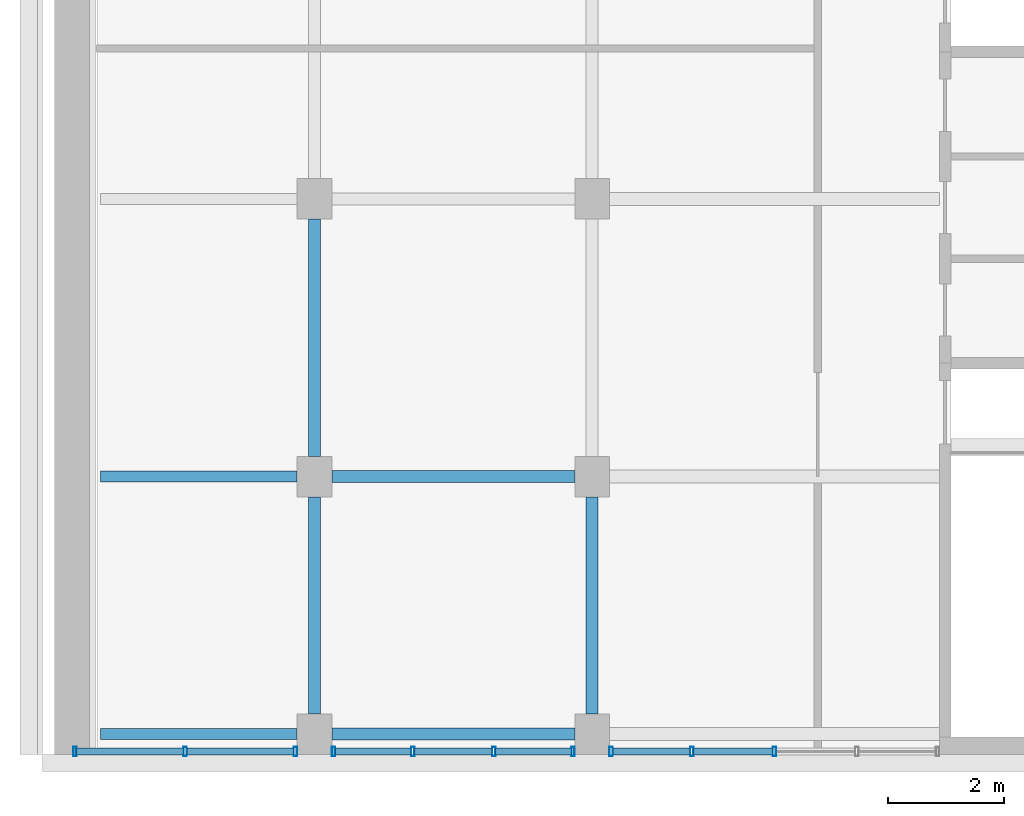
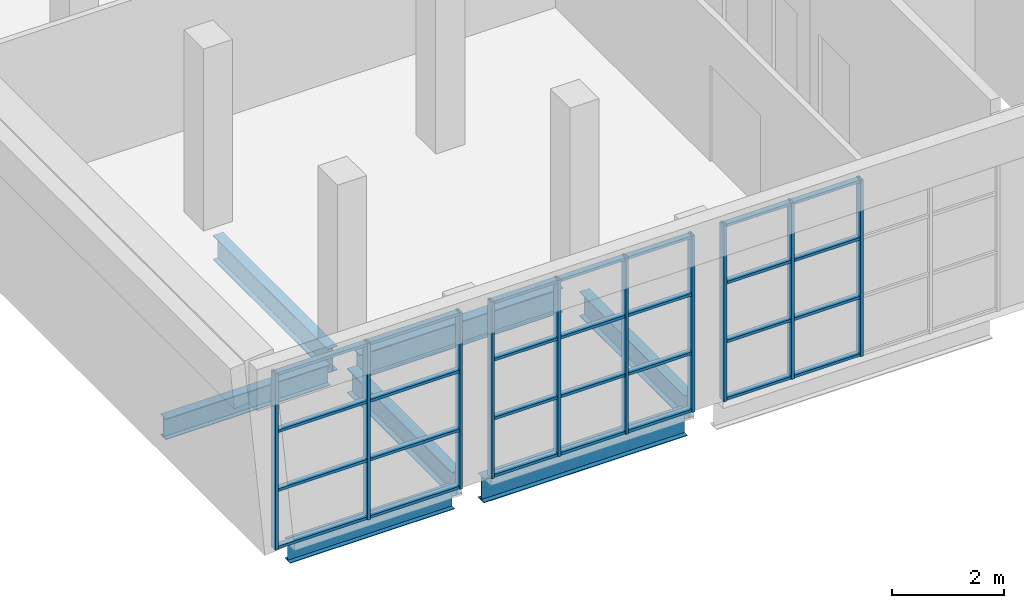
# One storey, part 2 of 22: 38 members, 7 beams, 3 elements without a shape of their own.
"""IFC4 building model written with IfcOpenShell, lengths in metres."""

from ifc_helpers import new_model, si_unit, direction, frame, origin, origin_2d, place, context, subcontext, project, spatial, hollow_rectangle, i_section, extrude, material, layer, layer_set, material_profile, profile_set, type_object, element, aggregate, save


model = new_model("IFC4")

# Units and contexts
model_context = context("Model", 3, precision=1e-05, world=origin(), true_north=direction((0.0, 1.0)))
body_context = subcontext(model_context, "Body", "Model", "MODEL_VIEW")
ifc_project = project(units=[si_unit("LENGTHUNIT", "METRE"), si_unit("AREAUNIT", "SQUARE_METRE"), si_unit("VOLUMEUNIT", "CUBIC_METRE"), si_unit("PLANEANGLEUNIT", "RADIAN"), si_unit("MASSUNIT", "GRAM", prefix="KILO")], contexts=[model_context])

# Site, building, storey
site_placement = place(None, origin())
site = spatial("IfcSite", under=ifc_project, at=site_placement, CompositionType="ELEMENT")
building_placement = place(site_placement, origin())
building = spatial("IfcBuilding", under=site, at=building_placement, Name="Baori Bourse Tower", CompositionType="ELEMENT")
storey_placement = place(building_placement, frame((0.0, 0.0, 25.800048828125)))
storey = spatial("IfcBuildingStorey", under=building, at=storey_placement, Name="L04", CompositionType="ELEMENT", Elevation=25.800048828125)

# Beams
ifc_material_1 = material(Name="Steel A992 Gr 50", Category="steel")
ifc_material_profile_1 = material_profile(ifc_material_1, i_section(OverallWidth=0.1904296875, OverallDepth=0.457275390625, WebThickness=0.009033203125, FlangeThickness=0.014404296875, at=origin_2d()), Name="W18x50")
ifc_profile_set_1 = profile_set([ifc_material_profile_1], Name="Steel A992 Gr 50")
beam_type_1 = type_object("IfcBeamType", Name="Wing beam W18x50", PredefinedType="BEAM", material=ifc_profile_set_1)
for number, where, z_axis, x_axis, name in (
    (1, (-18.100341796875, -24.85009765625, -0.388671875), (1.0, 0.0, 0.0), (0.0, 1.0, 0.0), "wing/L04/Wbeam/001"),
    (2, (-18.100341796875, -20.39990234375, -0.388671875), (1.0, 0.0, 0.0), (0.0, 1.0, 0.0), "wing/L04/Wbeam/004"),
):
    element("IfcBeam", number, at=place(storey_placement, frame(where, z_axis=z_axis, x_axis=x_axis)), inside=storey, type_object=beam_type_1, Name=name, PredefinedType="BEAM", context=body_context, shape_type="SweptSolid", body=[
        extrude(i_section(OverallWidth=0.1904296875, OverallDepth=0.457275390625, WebThickness=0.009033203125, FlangeThickness=0.014404296875, at=origin_2d()), origin(), (0.0, 0.0, 1.0), 3.400390625),
    ])
ifc_material_2 = material(Name="Steel A992 Gr 50", Category="steel")
ifc_material_profile_2 = material_profile(ifc_material_2, i_section(OverallWidth=0.209228515625, OverallDepth=0.533447265625, WebThickness=0.01025390625, FlangeThickness=0.015625, at=origin_2d()), Name="W21x62")
ifc_profile_set_2 = profile_set([ifc_material_profile_2], Name="Steel A992 Gr 50")
beam_type_2 = type_object("IfcBeamType", Name="Wing beam W21x62", PredefinedType="BEAM", material=ifc_profile_set_2)
for number, where, z_axis, x_axis, name in (
    (3, (-14.10009765625, -24.85009765625, -0.4267578125), (1.0, 0.0, 0.0), (0.0, 1.0, 0.0), "wing/L04/Wbeam/002"),
    (4, (-14.10009765625, -20.39990234375, -0.4267578125), (1.0, 0.0, 0.0), (0.0, 1.0, 0.0), "wing/L04/Wbeam/005"),
):
    element("IfcBeam", number, at=place(storey_placement, frame(where, z_axis=z_axis, x_axis=x_axis)), inside=storey, type_object=beam_type_2, Name=name, PredefinedType="BEAM", context=body_context, shape_type="SweptSolid", body=[
        extrude(i_section(OverallWidth=0.209228515625, OverallDepth=0.533447265625, WebThickness=0.01025390625, FlangeThickness=0.015625, at=origin_2d()), origin(), (0.0, 0.0, 1.0), 4.2001953125),
    ])
beam_1_placement = place(storey_placement, frame((-14.39990234375, -24.5, -0.4267578125), z_axis=(0.0, 1.0, 0.0), x_axis=(-1.0, 0.0, 0.0)))
element("IfcBeam", 5, at=beam_1_placement, inside=storey, type_object=beam_type_2, Name="wing/L04/Wbeamy/001", PredefinedType="BEAM", context=body_context, shape_type="SweptSolid", body=[
    extrude(i_section(OverallWidth=0.209228515625, OverallDepth=0.533447265625, WebThickness=0.01025390625, FlangeThickness=0.015625, at=origin_2d()), origin(), (0.0, 0.0, 1.0), 3.75),
])
beam_2_placement = place(storey_placement, frame((-14.39990234375, -20.050048828125, -0.4267578125), z_axis=(0.0, 1.0, 0.0), x_axis=(-1.0, 0.0, 0.0)))
element("IfcBeam", 6, at=beam_2_placement, inside=storey, type_object=beam_type_2, Name="wing/L04/Wbeamy/002", PredefinedType="BEAM", context=body_context, shape_type="SweptSolid", body=[
    extrude(i_section(OverallWidth=0.209228515625, OverallDepth=0.533447265625, WebThickness=0.01025390625, FlangeThickness=0.015625, at=origin_2d()), origin(), (0.0, 0.0, 1.0), 4.10009765625),
])
beam_3_placement = place(storey_placement, frame((-9.60009765625, -24.5, -0.4267578125), z_axis=(0.0, 1.0, 0.0), x_axis=(-1.0, 0.0, 0.0)))
element("IfcBeam", 7, at=beam_3_placement, inside=storey, type_object=beam_type_2, Name="wing/L04/Wbeamy/006", PredefinedType="BEAM", context=body_context, shape_type="SweptSolid", body=[
    extrude(i_section(OverallWidth=0.209228515625, OverallDepth=0.533447265625, WebThickness=0.01025390625, FlangeThickness=0.015625, at=origin_2d()), origin(), (0.0, 0.0, 1.0), 3.75),
])

# Curtain wall, members
ifc_material_3 = material(Name="Pale anodised aluminium", Category="aluminium")
ifc_layer = layer(ifc_material_3, 0.10009765625)
ifc_layer_set = layer_set([ifc_layer], Name="Wing curtain wall")
curtain_wall_type = type_object("IfcCurtainWallType", Name="Wing curtain wall", PredefinedType="NOTDEFINED", material=ifc_layer_set)
curtain_wall_1_placement = place(storey_placement, origin())
curtain_wall_1 = element("IfcCurtainWall", 8, at=curtain_wall_1_placement, inside=storey, type_object=curtain_wall_type, Name="wing/L04/Wcw/001", PredefinedType="NOTDEFINED")
ifc_material_4 = material(Name="Pale anodised aluminium", Category="aluminium")
ifc_material_profile_3 = material_profile(ifc_material_4, hollow_rectangle(XDim=0.159912109375, YDim=0.06005859375, WallThickness=0.0048828125, at=origin_2d()), Name="Mullion 160x60x5")
ifc_profile_set_3 = profile_set([ifc_material_profile_3], Name="Pale anodised aluminium")
member_type_1 = type_object("IfcMemberType", Name="Wing mullion 60x160", PredefinedType="MULLION", material=ifc_profile_set_3)
member_1_placement = place(storey_placement, frame((-18.53857421875, -25.14990234375, 0.0), z_axis=(0.0, 0.0, 1.0), x_axis=(0.0, 1.0, 0.0)))
member_1 = element("IfcMember", 9, at=member_1_placement, type_object=member_type_1, Name="X12 mullion 1", PredefinedType="MULLION", context=body_context, shape_type="SweptSolid", body=[
    extrude(hollow_rectangle(XDim=0.159912109375, YDim=0.06005859375, WallThickness=0.0048828125, at=origin_2d()), origin(), (0.0, 0.0, 1.0), 3.849853515625),
])
member_2_placement = place(storey_placement, frame((-16.63427734375, -25.14990234375, 0.0), z_axis=(0.0, 0.0, 1.0), x_axis=(0.0, 1.0, 0.0)))
member_2 = element("IfcMember", 10, at=member_2_placement, type_object=member_type_1, Name="X12 mullion 2", PredefinedType="MULLION", context=body_context, shape_type="SweptSolid", body=[
    extrude(hollow_rectangle(XDim=0.159912109375, YDim=0.06005859375, WallThickness=0.0048828125, at=origin_2d()), origin(), (0.0, 0.0, 1.0), 3.849853515625),
])
member_3_placement = place(storey_placement, frame((-14.72998046875, -25.14990234375, 0.0), z_axis=(0.0, 0.0, 1.0), x_axis=(0.0, 1.0, 0.0)))
member_3 = element("IfcMember", 11, at=member_3_placement, type_object=member_type_1, Name="X12 mullion 3", PredefinedType="MULLION", context=body_context, shape_type="SweptSolid", body=[
    extrude(hollow_rectangle(XDim=0.159912109375, YDim=0.06005859375, WallThickness=0.0048828125, at=origin_2d()), origin(), (0.0, 0.0, 1.0), 3.849853515625),
])

curtain_wall_2_placement = place(storey_placement, origin())
curtain_wall_2 = element("IfcCurtainWall", 12, at=curtain_wall_2_placement, inside=storey, type_object=curtain_wall_type, Name="wing/L04/Wcw/002", PredefinedType="NOTDEFINED")
member_4_placement = place(storey_placement, frame((-14.070068359375, -25.14990234375, 0.0), z_axis=(0.0, 0.0, 1.0), x_axis=(0.0, 1.0, 0.0)))
member_4 = element("IfcMember", 13, at=member_4_placement, type_object=member_type_1, Name="X12 mullion 1", PredefinedType="MULLION", context=body_context, shape_type="SweptSolid", body=[
    extrude(hollow_rectangle(XDim=0.159912109375, YDim=0.06005859375, WallThickness=0.0048828125, at=origin_2d()), origin(), (0.0, 0.0, 1.0), 3.849853515625),
])
member_5_placement = place(storey_placement, frame((-12.699951171875, -25.14990234375, 0.0), z_axis=(0.0, 0.0, 1.0), x_axis=(0.0, 1.0, 0.0)))
member_5 = element("IfcMember", 14, at=member_5_placement, type_object=member_type_1, Name="X12 mullion 2", PredefinedType="MULLION", context=body_context, shape_type="SweptSolid", body=[
    extrude(hollow_rectangle(XDim=0.159912109375, YDim=0.06005859375, WallThickness=0.0048828125, at=origin_2d()), origin(), (0.0, 0.0, 1.0), 3.849853515625),
])
member_6_placement = place(storey_placement, frame((-11.300048828125, -25.14990234375, 0.0), z_axis=(0.0, 0.0, 1.0), x_axis=(0.0, 1.0, 0.0)))
member_6 = element("IfcMember", 15, at=member_6_placement, type_object=member_type_1, Name="X12 mullion 3", PredefinedType="MULLION", context=body_context, shape_type="SweptSolid", body=[
    extrude(hollow_rectangle(XDim=0.159912109375, YDim=0.06005859375, WallThickness=0.0048828125, at=origin_2d()), origin(), (0.0, 0.0, 1.0), 3.849853515625),
])
member_7_placement = place(storey_placement, frame((-9.929931640625, -25.14990234375, 0.0), z_axis=(0.0, 0.0, 1.0), x_axis=(0.0, 1.0, 0.0)))
member_7 = element("IfcMember", 16, at=member_7_placement, type_object=member_type_1, Name="X12 mullion 4", PredefinedType="MULLION", context=body_context, shape_type="SweptSolid", body=[
    extrude(hollow_rectangle(XDim=0.159912109375, YDim=0.06005859375, WallThickness=0.0048828125, at=origin_2d()), origin(), (0.0, 0.0, 1.0), 3.849853515625),
])

curtain_wall_3_placement = place(storey_placement, origin())
curtain_wall_3 = element("IfcCurtainWall", 17, at=curtain_wall_3_placement, inside=storey, type_object=curtain_wall_type, Name="wing/L04/Wcw/003", PredefinedType="NOTDEFINED")
member_8_placement = place(storey_placement, frame((-9.27001953125, -25.14990234375, 0.0), z_axis=(0.0, 0.0, 1.0), x_axis=(0.0, 1.0, 0.0)))
member_8 = element("IfcMember", 18, at=member_8_placement, type_object=member_type_1, Name="X12 mullion 1", PredefinedType="MULLION", context=body_context, shape_type="SweptSolid", body=[
    extrude(hollow_rectangle(XDim=0.159912109375, YDim=0.06005859375, WallThickness=0.0048828125, at=origin_2d()), origin(), (0.0, 0.0, 1.0), 3.849853515625),
])
member_9_placement = place(storey_placement, frame((-7.875, -25.14990234375, 0.0), z_axis=(0.0, 0.0, 1.0), x_axis=(0.0, 1.0, 0.0)))
member_9 = element("IfcMember", 19, at=member_9_placement, type_object=member_type_1, Name="X12 mullion 2", PredefinedType="MULLION", context=body_context, shape_type="SweptSolid", body=[
    extrude(hollow_rectangle(XDim=0.159912109375, YDim=0.06005859375, WallThickness=0.0048828125, at=origin_2d()), origin(), (0.0, 0.0, 1.0), 3.849853515625),
])
member_10_placement = place(storey_placement, frame((-6.449951171875, -25.14990234375, 0.0), z_axis=(0.0, 0.0, 1.0), x_axis=(0.0, 1.0, 0.0)))
member_10 = element("IfcMember", 20, at=member_10_placement, type_object=member_type_1, Name="X12 mullion 3", PredefinedType="MULLION", context=body_context, shape_type="SweptSolid", body=[
    extrude(hollow_rectangle(XDim=0.159912109375, YDim=0.06005859375, WallThickness=0.0048828125, at=origin_2d()), origin(), (0.0, 0.0, 1.0), 3.849853515625),
])

# Member
ifc_material_5 = material(Name="Pale anodised aluminium", Category="aluminium")
ifc_material_profile_4 = material_profile(ifc_material_5, hollow_rectangle(XDim=0.1201171875, YDim=0.06005859375, WallThickness=0.0048828125, at=origin_2d()), Name="Transom 120x60x5")
ifc_profile_set_4 = profile_set([ifc_material_profile_4], Name="Pale anodised aluminium")
member_type_2 = type_object("IfcMemberType", Name="Wing transom 120x60", PredefinedType="USERDEFINED", material=ifc_profile_set_4)
member_11_placement = place(storey_placement, frame((-18.508544921875, -25.14990234375, 0.030029296875), z_axis=(1.0, 0.0, 0.0), x_axis=(0.0, 1.0, 0.0)))
member_11 = element("IfcMember", 21, at=member_11_placement, type_object=member_type_2, Name="X12 transom 1.1", ObjectType="TRANSOM", PredefinedType="USERDEFINED", context=body_context, shape_type="SweptSolid", body=[
    extrude(hollow_rectangle(XDim=0.1201171875, YDim=0.06005859375, WallThickness=0.0048828125, at=origin_2d()), origin(), (0.0, 0.0, 1.0), 1.84423828125),
])

member_12_placement = place(storey_placement, frame((-18.508544921875, -25.14990234375, 1.283203125), z_axis=(1.0, 0.0, 0.0), x_axis=(0.0, 1.0, 0.0)))
member_12 = element("IfcMember", 22, at=member_12_placement, type_object=member_type_2, Name="X12 transom 1.2", ObjectType="TRANSOM", PredefinedType="USERDEFINED", context=body_context, shape_type="SweptSolid", body=[
    extrude(hollow_rectangle(XDim=0.1201171875, YDim=0.06005859375, WallThickness=0.0048828125, at=origin_2d()), origin(), (0.0, 0.0, 1.0), 1.84423828125),
])

member_13_placement = place(storey_placement, frame((-18.508544921875, -25.14990234375, 2.566650390625), z_axis=(1.0, 0.0, 0.0), x_axis=(0.0, 1.0, 0.0)))
member_13 = element("IfcMember", 23, at=member_13_placement, type_object=member_type_2, Name="X12 transom 1.3", ObjectType="TRANSOM", PredefinedType="USERDEFINED", context=body_context, shape_type="SweptSolid", body=[
    extrude(hollow_rectangle(XDim=0.1201171875, YDim=0.06005859375, WallThickness=0.0048828125, at=origin_2d()), origin(), (0.0, 0.0, 1.0), 1.84423828125),
])

member_14_placement = place(storey_placement, frame((-18.508544921875, -25.14990234375, 3.820068359375), z_axis=(1.0, 0.0, 0.0), x_axis=(0.0, 1.0, 0.0)))
member_14 = element("IfcMember", 24, at=member_14_placement, type_object=member_type_2, Name="X12 transom 1.4", ObjectType="TRANSOM", PredefinedType="USERDEFINED", context=body_context, shape_type="SweptSolid", body=[
    extrude(hollow_rectangle(XDim=0.1201171875, YDim=0.06005859375, WallThickness=0.0048828125, at=origin_2d()), origin(), (0.0, 0.0, 1.0), 1.84423828125),
])

member_15_placement = place(storey_placement, frame((-16.604248046875, -25.14990234375, 0.030029296875), z_axis=(1.0, 0.0, 0.0), x_axis=(0.0, 1.0, 0.0)))
member_15 = element("IfcMember", 25, at=member_15_placement, type_object=member_type_2, Name="X12 transom 2.1", ObjectType="TRANSOM", PredefinedType="USERDEFINED", context=body_context, shape_type="SweptSolid", body=[
    extrude(hollow_rectangle(XDim=0.1201171875, YDim=0.06005859375, WallThickness=0.0048828125, at=origin_2d()), origin(), (0.0, 0.0, 1.0), 1.84423828125),
])

member_16_placement = place(storey_placement, frame((-16.604248046875, -25.14990234375, 1.283203125), z_axis=(1.0, 0.0, 0.0), x_axis=(0.0, 1.0, 0.0)))
member_16 = element("IfcMember", 26, at=member_16_placement, type_object=member_type_2, Name="X12 transom 2.2", ObjectType="TRANSOM", PredefinedType="USERDEFINED", context=body_context, shape_type="SweptSolid", body=[
    extrude(hollow_rectangle(XDim=0.1201171875, YDim=0.06005859375, WallThickness=0.0048828125, at=origin_2d()), origin(), (0.0, 0.0, 1.0), 1.84423828125),
])

member_17_placement = place(storey_placement, frame((-16.604248046875, -25.14990234375, 2.566650390625), z_axis=(1.0, 0.0, 0.0), x_axis=(0.0, 1.0, 0.0)))
member_17 = element("IfcMember", 27, at=member_17_placement, type_object=member_type_2, Name="X12 transom 2.3", ObjectType="TRANSOM", PredefinedType="USERDEFINED", context=body_context, shape_type="SweptSolid", body=[
    extrude(hollow_rectangle(XDim=0.1201171875, YDim=0.06005859375, WallThickness=0.0048828125, at=origin_2d()), origin(), (0.0, 0.0, 1.0), 1.84423828125),
])

member_18_placement = place(storey_placement, frame((-16.604248046875, -25.14990234375, 3.820068359375), z_axis=(1.0, 0.0, 0.0), x_axis=(0.0, 1.0, 0.0)))
member_18 = element("IfcMember", 28, at=member_18_placement, type_object=member_type_2, Name="X12 transom 2.4", ObjectType="TRANSOM", PredefinedType="USERDEFINED", context=body_context, shape_type="SweptSolid", body=[
    extrude(hollow_rectangle(XDim=0.1201171875, YDim=0.06005859375, WallThickness=0.0048828125, at=origin_2d()), origin(), (0.0, 0.0, 1.0), 1.84423828125),
])

aggregate(curtain_wall_1, [member_1, member_2, member_3, member_11, member_12, member_13, member_14, member_15, member_16, member_17, member_18])

member_19_placement = place(storey_placement, frame((-14.0400390625, -25.14990234375, 0.030029296875), z_axis=(1.0, 0.0, 0.0), x_axis=(0.0, 1.0, 0.0)))
member_19 = element("IfcMember", 29, at=member_19_placement, type_object=member_type_2, Name="X12 transom 1.1", ObjectType="TRANSOM", PredefinedType="USERDEFINED", context=body_context, shape_type="SweptSolid", body=[
    extrude(hollow_rectangle(XDim=0.1201171875, YDim=0.06005859375, WallThickness=0.0048828125, at=origin_2d()), origin(), (0.0, 0.0, 1.0), 1.31005859375),
])

member_20_placement = place(storey_placement, frame((-14.0400390625, -25.14990234375, 1.283203125), z_axis=(1.0, 0.0, 0.0), x_axis=(0.0, 1.0, 0.0)))
member_20 = element("IfcMember", 30, at=member_20_placement, type_object=member_type_2, Name="X12 transom 1.2", ObjectType="TRANSOM", PredefinedType="USERDEFINED", context=body_context, shape_type="SweptSolid", body=[
    extrude(hollow_rectangle(XDim=0.1201171875, YDim=0.06005859375, WallThickness=0.0048828125, at=origin_2d()), origin(), (0.0, 0.0, 1.0), 1.31005859375),
])

member_21_placement = place(storey_placement, frame((-14.0400390625, -25.14990234375, 2.566650390625), z_axis=(1.0, 0.0, 0.0), x_axis=(0.0, 1.0, 0.0)))
member_21 = element("IfcMember", 31, at=member_21_placement, type_object=member_type_2, Name="X12 transom 1.3", ObjectType="TRANSOM", PredefinedType="USERDEFINED", context=body_context, shape_type="SweptSolid", body=[
    extrude(hollow_rectangle(XDim=0.1201171875, YDim=0.06005859375, WallThickness=0.0048828125, at=origin_2d()), origin(), (0.0, 0.0, 1.0), 1.31005859375),
])

member_22_placement = place(storey_placement, frame((-14.0400390625, -25.14990234375, 3.820068359375), z_axis=(1.0, 0.0, 0.0), x_axis=(0.0, 1.0, 0.0)))
member_22 = element("IfcMember", 32, at=member_22_placement, type_object=member_type_2, Name="X12 transom 1.4", ObjectType="TRANSOM", PredefinedType="USERDEFINED", context=body_context, shape_type="SweptSolid", body=[
    extrude(hollow_rectangle(XDim=0.1201171875, YDim=0.06005859375, WallThickness=0.0048828125, at=origin_2d()), origin(), (0.0, 0.0, 1.0), 1.31005859375),
])

member_23_placement = place(storey_placement, frame((-12.669921875, -25.14990234375, 0.030029296875), z_axis=(1.0, 0.0, 0.0), x_axis=(0.0, 1.0, 0.0)))
member_23 = element("IfcMember", 33, at=member_23_placement, type_object=member_type_2, Name="X12 transom 2.1", ObjectType="TRANSOM", PredefinedType="USERDEFINED", context=body_context, shape_type="SweptSolid", body=[
    extrude(hollow_rectangle(XDim=0.1201171875, YDim=0.06005859375, WallThickness=0.0048828125, at=origin_2d()), origin(), (0.0, 0.0, 1.0), 1.33984375),
])

member_24_placement = place(storey_placement, frame((-12.669921875, -25.14990234375, 1.283203125), z_axis=(1.0, 0.0, 0.0), x_axis=(0.0, 1.0, 0.0)))
member_24 = element("IfcMember", 34, at=member_24_placement, type_object=member_type_2, Name="X12 transom 2.2", ObjectType="TRANSOM", PredefinedType="USERDEFINED", context=body_context, shape_type="SweptSolid", body=[
    extrude(hollow_rectangle(XDim=0.1201171875, YDim=0.06005859375, WallThickness=0.0048828125, at=origin_2d()), origin(), (0.0, 0.0, 1.0), 1.33984375),
])

member_25_placement = place(storey_placement, frame((-12.669921875, -25.14990234375, 2.566650390625), z_axis=(1.0, 0.0, 0.0), x_axis=(0.0, 1.0, 0.0)))
member_25 = element("IfcMember", 35, at=member_25_placement, type_object=member_type_2, Name="X12 transom 2.3", ObjectType="TRANSOM", PredefinedType="USERDEFINED", context=body_context, shape_type="SweptSolid", body=[
    extrude(hollow_rectangle(XDim=0.1201171875, YDim=0.06005859375, WallThickness=0.0048828125, at=origin_2d()), origin(), (0.0, 0.0, 1.0), 1.33984375),
])

member_26_placement = place(storey_placement, frame((-12.669921875, -25.14990234375, 3.820068359375), z_axis=(1.0, 0.0, 0.0), x_axis=(0.0, 1.0, 0.0)))
member_26 = element("IfcMember", 36, at=member_26_placement, type_object=member_type_2, Name="X12 transom 2.4", ObjectType="TRANSOM", PredefinedType="USERDEFINED", context=body_context, shape_type="SweptSolid", body=[
    extrude(hollow_rectangle(XDim=0.1201171875, YDim=0.06005859375, WallThickness=0.0048828125, at=origin_2d()), origin(), (0.0, 0.0, 1.0), 1.33984375),
])

member_27_placement = place(storey_placement, frame((-11.27001953125, -25.14990234375, 0.030029296875), z_axis=(1.0, 0.0, 0.0), x_axis=(0.0, 1.0, 0.0)))
member_27 = element("IfcMember", 37, at=member_27_placement, type_object=member_type_2, Name="X12 transom 3.1", ObjectType="TRANSOM", PredefinedType="USERDEFINED", context=body_context, shape_type="SweptSolid", body=[
    extrude(hollow_rectangle(XDim=0.1201171875, YDim=0.06005859375, WallThickness=0.0048828125, at=origin_2d()), origin(), (0.0, 0.0, 1.0), 1.31005859375),
])

member_28_placement = place(storey_placement, frame((-11.27001953125, -25.14990234375, 1.283203125), z_axis=(1.0, 0.0, 0.0), x_axis=(0.0, 1.0, 0.0)))
member_28 = element("IfcMember", 38, at=member_28_placement, type_object=member_type_2, Name="X12 transom 3.2", ObjectType="TRANSOM", PredefinedType="USERDEFINED", context=body_context, shape_type="SweptSolid", body=[
    extrude(hollow_rectangle(XDim=0.1201171875, YDim=0.06005859375, WallThickness=0.0048828125, at=origin_2d()), origin(), (0.0, 0.0, 1.0), 1.31005859375),
])

member_29_placement = place(storey_placement, frame((-11.27001953125, -25.14990234375, 2.566650390625), z_axis=(1.0, 0.0, 0.0), x_axis=(0.0, 1.0, 0.0)))
member_29 = element("IfcMember", 39, at=member_29_placement, type_object=member_type_2, Name="X12 transom 3.3", ObjectType="TRANSOM", PredefinedType="USERDEFINED", context=body_context, shape_type="SweptSolid", body=[
    extrude(hollow_rectangle(XDim=0.1201171875, YDim=0.06005859375, WallThickness=0.0048828125, at=origin_2d()), origin(), (0.0, 0.0, 1.0), 1.31005859375),
])

member_30_placement = place(storey_placement, frame((-11.27001953125, -25.14990234375, 3.820068359375), z_axis=(1.0, 0.0, 0.0), x_axis=(0.0, 1.0, 0.0)))
member_30 = element("IfcMember", 40, at=member_30_placement, type_object=member_type_2, Name="X12 transom 3.4", ObjectType="TRANSOM", PredefinedType="USERDEFINED", context=body_context, shape_type="SweptSolid", body=[
    extrude(hollow_rectangle(XDim=0.1201171875, YDim=0.06005859375, WallThickness=0.0048828125, at=origin_2d()), origin(), (0.0, 0.0, 1.0), 1.31005859375),
])

aggregate(curtain_wall_2, [member_4, member_5, member_6, member_7, member_19, member_20, member_21, member_22, member_23, member_24, member_25, member_26, member_27, member_28, member_29, member_30])

member_31_placement = place(storey_placement, frame((-9.239990234375, -25.14990234375, 0.030029296875), z_axis=(1.0, 0.0, 0.0), x_axis=(0.0, 1.0, 0.0)))
member_31 = element("IfcMember", 41, at=member_31_placement, type_object=member_type_2, Name="X12 transom 1.1", ObjectType="TRANSOM", PredefinedType="USERDEFINED", context=body_context, shape_type="SweptSolid", body=[
    extrude(hollow_rectangle(XDim=0.1201171875, YDim=0.06005859375, WallThickness=0.0048828125, at=origin_2d()), origin(), (0.0, 0.0, 1.0), 1.3349609375),
])

member_32_placement = place(storey_placement, frame((-9.239990234375, -25.14990234375, 1.283203125), z_axis=(1.0, 0.0, 0.0), x_axis=(0.0, 1.0, 0.0)))
member_32 = element("IfcMember", 42, at=member_32_placement, type_object=member_type_2, Name="X12 transom 1.2", ObjectType="TRANSOM", PredefinedType="USERDEFINED", context=body_context, shape_type="SweptSolid", body=[
    extrude(hollow_rectangle(XDim=0.1201171875, YDim=0.06005859375, WallThickness=0.0048828125, at=origin_2d()), origin(), (0.0, 0.0, 1.0), 1.3349609375),
])

member_33_placement = place(storey_placement, frame((-9.239990234375, -25.14990234375, 2.566650390625), z_axis=(1.0, 0.0, 0.0), x_axis=(0.0, 1.0, 0.0)))
member_33 = element("IfcMember", 43, at=member_33_placement, type_object=member_type_2, Name="X12 transom 1.3", ObjectType="TRANSOM", PredefinedType="USERDEFINED", context=body_context, shape_type="SweptSolid", body=[
    extrude(hollow_rectangle(XDim=0.1201171875, YDim=0.06005859375, WallThickness=0.0048828125, at=origin_2d()), origin(), (0.0, 0.0, 1.0), 1.3349609375),
])

member_34_placement = place(storey_placement, frame((-9.239990234375, -25.14990234375, 3.820068359375), z_axis=(1.0, 0.0, 0.0), x_axis=(0.0, 1.0, 0.0)))
member_34 = element("IfcMember", 44, at=member_34_placement, type_object=member_type_2, Name="X12 transom 1.4", ObjectType="TRANSOM", PredefinedType="USERDEFINED", context=body_context, shape_type="SweptSolid", body=[
    extrude(hollow_rectangle(XDim=0.1201171875, YDim=0.06005859375, WallThickness=0.0048828125, at=origin_2d()), origin(), (0.0, 0.0, 1.0), 1.3349609375),
])

member_35_placement = place(storey_placement, frame((-7.844970703125, -25.14990234375, 0.030029296875), z_axis=(1.0, 0.0, 0.0), x_axis=(0.0, 1.0, 0.0)))
member_35 = element("IfcMember", 45, at=member_35_placement, type_object=member_type_2, Name="X12 transom 2.1", ObjectType="TRANSOM", PredefinedType="USERDEFINED", context=body_context, shape_type="SweptSolid", body=[
    extrude(hollow_rectangle(XDim=0.1201171875, YDim=0.06005859375, WallThickness=0.0048828125, at=origin_2d()), origin(), (0.0, 0.0, 1.0), 1.364990234375),
])

member_36_placement = place(storey_placement, frame((-7.844970703125, -25.14990234375, 1.283203125), z_axis=(1.0, 0.0, 0.0), x_axis=(0.0, 1.0, 0.0)))
member_36 = element("IfcMember", 46, at=member_36_placement, type_object=member_type_2, Name="X12 transom 2.2", ObjectType="TRANSOM", PredefinedType="USERDEFINED", context=body_context, shape_type="SweptSolid", body=[
    extrude(hollow_rectangle(XDim=0.1201171875, YDim=0.06005859375, WallThickness=0.0048828125, at=origin_2d()), origin(), (0.0, 0.0, 1.0), 1.364990234375),
])

member_37_placement = place(storey_placement, frame((-7.844970703125, -25.14990234375, 2.566650390625), z_axis=(1.0, 0.0, 0.0), x_axis=(0.0, 1.0, 0.0)))
member_37 = element("IfcMember", 47, at=member_37_placement, type_object=member_type_2, Name="X12 transom 2.3", ObjectType="TRANSOM", PredefinedType="USERDEFINED", context=body_context, shape_type="SweptSolid", body=[
    extrude(hollow_rectangle(XDim=0.1201171875, YDim=0.06005859375, WallThickness=0.0048828125, at=origin_2d()), origin(), (0.0, 0.0, 1.0), 1.364990234375),
])

member_38_placement = place(storey_placement, frame((-7.844970703125, -25.14990234375, 3.820068359375), z_axis=(1.0, 0.0, 0.0), x_axis=(0.0, 1.0, 0.0)))
member_38 = element("IfcMember", 48, at=member_38_placement, type_object=member_type_2, Name="X12 transom 2.4", ObjectType="TRANSOM", PredefinedType="USERDEFINED", context=body_context, shape_type="SweptSolid", body=[
    extrude(hollow_rectangle(XDim=0.1201171875, YDim=0.06005859375, WallThickness=0.0048828125, at=origin_2d()), origin(), (0.0, 0.0, 1.0), 1.364990234375),
])

aggregate(curtain_wall_3, [member_8, member_9, member_10, member_31, member_32, member_33, member_34, member_35, member_36, member_37, member_38])

save(model, "model.ifc")
